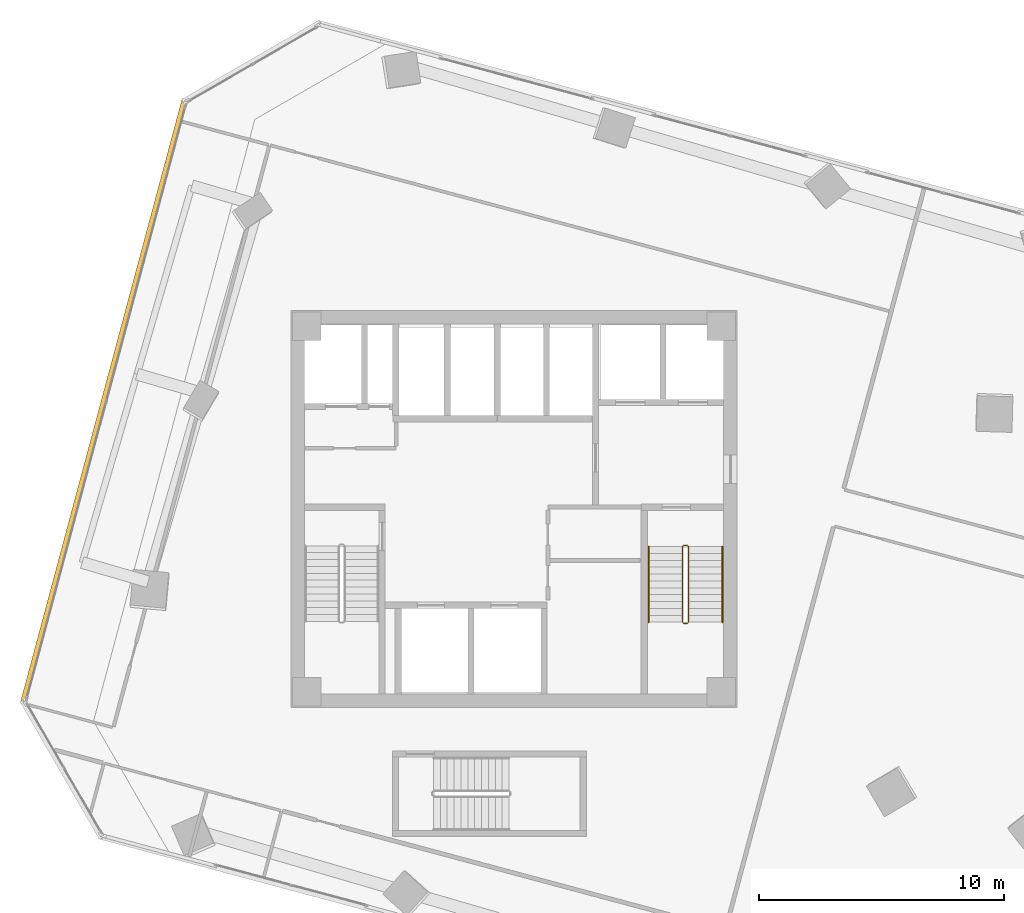
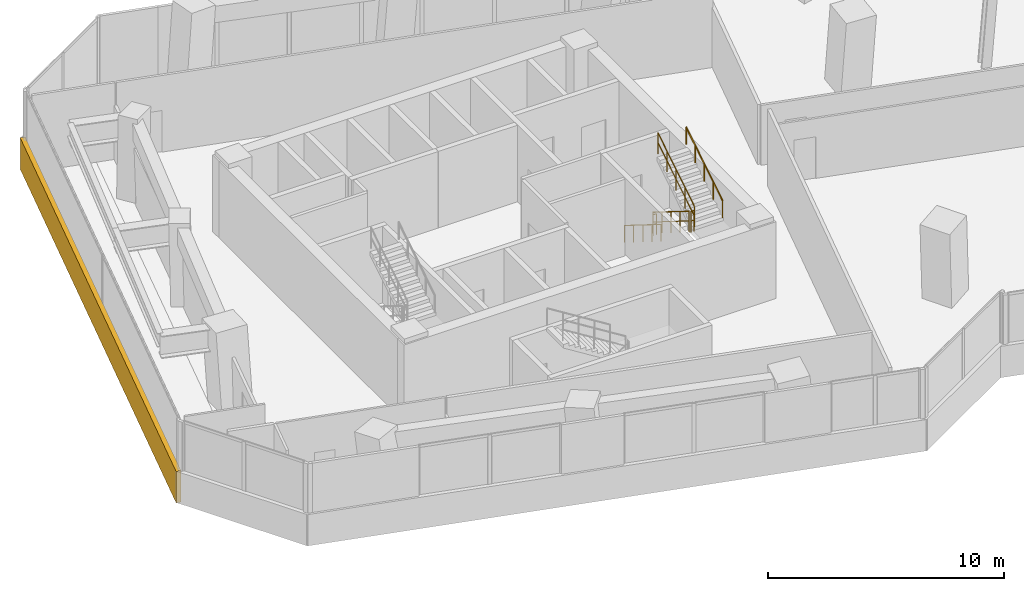
# One storey, part 23 of 26: 6 railings, 1 covering.
"""IFC4 building model written with IfcOpenShell, lengths in metres."""

from ifc_helpers import new_model, si_unit, direction, frame, origin, origin_2d, place, context, subcontext, project, spatial, rectangle, circle, extrude, source, transform, mapped, material, layer, layer_set, type_object, element, save


model = new_model("IFC4")

# Units and contexts
model_context = context("Model", 3, precision=1e-05, world=origin(), true_north=direction((0.0, 1.0)))
body_context = subcontext(model_context, "Body", "Model", "MODEL_VIEW")
ifc_project = project(units=[si_unit("LENGTHUNIT", "METRE"), si_unit("AREAUNIT", "SQUARE_METRE"), si_unit("VOLUMEUNIT", "CUBIC_METRE"), si_unit("PLANEANGLEUNIT", "RADIAN"), si_unit("MASSUNIT", "GRAM", prefix="KILO")], contexts=[model_context])

# Site, building, storey
site_placement = place(None, origin())
site = spatial("IfcSite", under=ifc_project, at=site_placement, CompositionType="ELEMENT")
building_placement = place(site_placement, origin())
building = spatial("IfcBuilding", under=site, at=building_placement, Name="Torre Montelarca", CompositionType="ELEMENT")
storey_placement = place(building_placement, frame((0.0, 0.0, 104.199951171875)))
storey = spatial("IfcBuildingStorey", under=building, at=storey_placement, Name="L23", CompositionType="ELEMENT", Elevation=104.199951171875)

# Railings
ifc_material_1 = material(Name="Powder-coated steel ASTM A500 Grade C", Category="steel")
railing_type_1 = type_object("IfcRailingType", Name="RL-GUARD-1100", PredefinedType="BALUSTRADE", material=ifc_material_1)
railing_1_placement = place(storey_placement, frame((24.8701171875, 30.469970703125, 0.175048828125)))
element("IfcRailing", 1, at=railing_1_placement, inside=storey, type_object=railing_type_1, Name="L23 ST2 stair guard 1", PredefinedType="BALUSTRADE", context=body_context, shape_type="SweptSolid", body=[
    extrude(circle(Radius=0.02392578125, at=origin_2d()), frame((0.0, 0.0, 1.076171875), z_axis=(0.0, -0.847998304005, 0.529998940003), x_axis=(1.0, 0.0, 0.0)), (0.0, 0.0, 1.0), 3.632080078125),
    extrude(circle(Radius=0.02099609375, at=origin_2d()), frame((0.0, 0.0, 0.572021484375), z_axis=(0.0, -0.847998304005, 0.529998940003), x_axis=(1.0, 0.0, 0.0)), (0.0, 0.0, 1.0), 3.632080078125),
    extrude(circle(Radius=0.02099609375, at=origin_2d()), origin(), (0.0, 0.0, 1.0), 1.052001953125),
    extrude(circle(Radius=0.02099609375, at=origin_2d()), frame((0.0, -0.77001953125, 0.481201171875)), (0.0, 0.0, 1.0), 1.052001953125),
    extrude(circle(Radius=0.02099609375, at=origin_2d()), frame((0.0, -1.5400390625, 0.96240234375)), (0.0, 0.0, 1.0), 1.052001953125),
    extrude(circle(Radius=0.02099609375, at=origin_2d()), frame((0.0, -2.31005859375, 1.44384765625)), (0.0, 0.0, 1.0), 1.052001953125),
    extrude(circle(Radius=0.02099609375, at=origin_2d()), frame((0.0, -3.080078125, 1.925048828125)), (0.0, 0.0, 1.0), 1.052001953125),
])
railing_2_placement = place(storey_placement, frame((24.919921875, 27.340087890625, 2.10009765625)))
element("IfcRailing", 2, at=railing_2_placement, inside=storey, type_object=railing_type_1, Name="L23 ST2 stair guard 2", PredefinedType="BALUSTRADE", context=body_context, shape_type="SweptSolid", body=[
    extrude(circle(Radius=0.02392578125, at=origin_2d()), frame((0.0, 0.0, 1.076171875), z_axis=(1.0, 0.0, 0.0), x_axis=(0.0, 1.0, 0.0)), (0.0, 0.0, 1.0), 0.150146484375),
    extrude(circle(Radius=0.02099609375, at=origin_2d()), frame((0.0, 0.0, 0.572021484375), z_axis=(1.0, 0.0, 0.0), x_axis=(0.0, 1.0, 0.0)), (0.0, 0.0, 1.0), 0.150146484375),
    extrude(circle(Radius=0.02099609375, at=origin_2d()), origin(), (0.0, 0.0, 1.0), 1.052001953125),
    extrude(circle(Radius=0.02099609375, at=origin_2d()), frame((0.150146484375, 0.0, 0.0)), (0.0, 0.0, 1.0), 1.052001953125),
])
railing_3_placement = place(storey_placement, frame((25.1201171875, 27.389892578125, 2.275146484375)))
element("IfcRailing", 3, at=railing_3_placement, inside=storey, type_object=railing_type_1, Name="L23 ST2 stair guard 3", PredefinedType="BALUSTRADE", context=body_context, shape_type="SweptSolid", body=[
    extrude(circle(Radius=0.02392578125, at=origin_2d()), frame((0.0, 0.0, 1.076171875), z_axis=(0.0, 0.848028513186, 0.529950602248), x_axis=(-1.0, 0.0, 0.0)), (0.0, 0.0, 1.0), 3.632080078125),
    extrude(circle(Radius=0.02099609375, at=origin_2d()), frame((0.0, 0.0, 0.572021484375), z_axis=(0.0, 0.848028513186, 0.529950602248), x_axis=(-1.0, 0.0, 0.0)), (0.0, 0.0, 1.0), 3.632080078125),
    extrude(circle(Radius=0.02099609375, at=origin_2d()), origin(), (0.0, 0.0, 1.0), 1.052001953125),
    extrude(circle(Radius=0.02099609375, at=origin_2d()), frame((0.0, 0.77001953125, 0.481201171875)), (0.0, 0.0, 1.0), 1.052001953125),
    extrude(circle(Radius=0.02099609375, at=origin_2d()), frame((0.0, 1.5400390625, 0.96240234375)), (0.0, 0.0, 1.0), 1.052001953125),
    extrude(circle(Radius=0.02099609375, at=origin_2d()), frame((0.0, 2.31005859375, 1.443603515625)), (0.0, 0.0, 1.0), 1.052001953125),
    extrude(circle(Radius=0.02099609375, at=origin_2d()), frame((0.0, 3.080078125, 1.9248046875)), (0.0, 0.0, 1.0), 1.052001953125),
])
railing_4_placement = place(storey_placement, frame((24.919921875, 30.52001953125, 0.0)))
element("IfcRailing", 4, at=railing_4_placement, inside=storey, type_object=railing_type_1, Name="L23 ST2 stair guard 4", PredefinedType="BALUSTRADE", context=body_context, shape_type="SweptSolid", body=[
    extrude(circle(Radius=0.02392578125, at=origin_2d()), frame((0.0, 0.0, 1.076171875), z_axis=(1.0, 0.0, 0.0), x_axis=(0.0, 1.0, 0.0)), (0.0, 0.0, 1.0), 0.150146484375),
    extrude(circle(Radius=0.02099609375, at=origin_2d()), frame((0.0, 0.0, 0.572021484375), z_axis=(1.0, 0.0, 0.0), x_axis=(0.0, 1.0, 0.0)), (0.0, 0.0, 1.0), 0.150146484375),
    extrude(circle(Radius=0.02099609375, at=origin_2d()), origin(), (0.0, 0.0, 1.0), 1.052001953125),
    extrude(circle(Radius=0.02099609375, at=origin_2d()), frame((0.150146484375, 0.0, 0.0)), (0.0, 0.0, 1.0), 1.052001953125),
])
ifc_material_2 = material(Name="Brushed stainless steel AISI 316", Category="steel")
railing_type_2 = type_object("IfcRailingType", Name="RL-HANDRAIL-900", PredefinedType="HANDRAIL", material=ifc_material_2)
railing_5_placement = place(storey_placement, frame((23.489990234375, 30.469970703125, 0.175048828125)))
element("IfcRailing", 5, at=railing_5_placement, inside=storey, type_object=railing_type_2, Name="L23 ST2 stair handrail 1", PredefinedType="HANDRAIL", context=body_context, shape_type="SweptSolid", body=[
    extrude(circle(Radius=0.02392578125, at=origin_2d()), frame((0.0, 0.0, 0.8759765625), z_axis=(0.0, -0.847998304005, 0.529998940003), x_axis=(1.0, 0.0, 0.0)), (0.0, 0.0, 1.0), 3.632080078125),
    extrude(circle(Radius=0.02099609375, at=origin_2d()), origin(), (0.0, 0.0, 1.0), 0.851806640625),
    extrude(circle(Radius=0.02099609375, at=origin_2d()), frame((0.0, -0.77001953125, 0.481201171875)), (0.0, 0.0, 1.0), 0.851806640625),
    extrude(circle(Radius=0.02099609375, at=origin_2d()), frame((0.0, -1.5400390625, 0.96240234375)), (0.0, 0.0, 1.0), 0.851806640625),
    extrude(circle(Radius=0.02099609375, at=origin_2d()), frame((0.0, -2.31005859375, 1.44384765625)), (0.0, 0.0, 1.0), 0.851806640625),
    extrude(circle(Radius=0.02099609375, at=origin_2d()), frame((0.0, -3.080078125, 1.925048828125)), (0.0, 0.0, 1.0), 0.851806640625),
])
railing_6_placement = place(storey_placement, frame((26.5, 27.389892578125, 2.275146484375)))
element("IfcRailing", 6, at=railing_6_placement, inside=storey, type_object=railing_type_2, Name="L23 ST2 stair handrail 2", PredefinedType="HANDRAIL", context=body_context, shape_type="SweptSolid", body=[
    extrude(circle(Radius=0.02392578125, at=origin_2d()), frame((0.0, 0.0, 0.8759765625), z_axis=(0.0, 0.848028513186, 0.529950602248), x_axis=(-1.0, 0.0, 0.0)), (0.0, 0.0, 1.0), 3.632080078125),
    extrude(circle(Radius=0.02099609375, at=origin_2d()), origin(), (0.0, 0.0, 1.0), 0.851806640625),
    extrude(circle(Radius=0.02099609375, at=origin_2d()), frame((0.0, 0.77001953125, 0.481201171875)), (0.0, 0.0, 1.0), 0.851806640625),
    extrude(circle(Radius=0.02099609375, at=origin_2d()), frame((0.0, 1.5400390625, 0.96240234375)), (0.0, 0.0, 1.0), 0.851806640625),
    extrude(circle(Radius=0.02099609375, at=origin_2d()), frame((0.0, 2.31005859375, 1.443603515625)), (0.0, 0.0, 1.0), 0.851806640625),
    extrude(circle(Radius=0.02099609375, at=origin_2d()), frame((0.0, 3.080078125, 1.9248046875)), (0.0, 0.0, 1.0), 0.851806640625),
])

# Covering
ifc_material_3 = material(Name="Bush-hammered warm white precast concrete C45/55", Category="concrete")
ifc_layer = layer(ifc_material_3, 0.139892578125, Name="Bush-hammered warm white precast concrete C45/55", Category="concrete")
ifc_layer_set = layer_set([ifc_layer], Name="Bush-hammered warm white precast concrete C45/55")
covering_type = type_object("IfcCoveringType", Name="COV-TRAY-CLAD", PredefinedType="CLADDING", material=ifc_layer_set)
shared_shape = source(origin(), body_context, "Body", "SweptSolid", [
    extrude(rectangle(XDim=25.52001953125, YDim=0.219970703125, at=origin_2d()), origin(), (0.0, 0.0, 1.0), 1.6201171875),
])
covering_placement = place(storey_placement, frame((1.275390625, 36.3837890625, -0.449951171875), z_axis=(0.0, 0.0, 1.0), x_axis=(-0.258819045103, -0.965925826289, 0.0)))
element("IfcCovering", 7, at=covering_placement, inside=storey, type_object=covering_type, Name="L23 Architectural White Spandrel Tray Band TRYBOT-10", PredefinedType="CLADDING", context=body_context, shape_type="MappedRepresentation", body=[
    mapped(shared_shape, transform((0.0, 0.0, 0.0), scale=1.0)),
])

save(model, "model.ifc")
